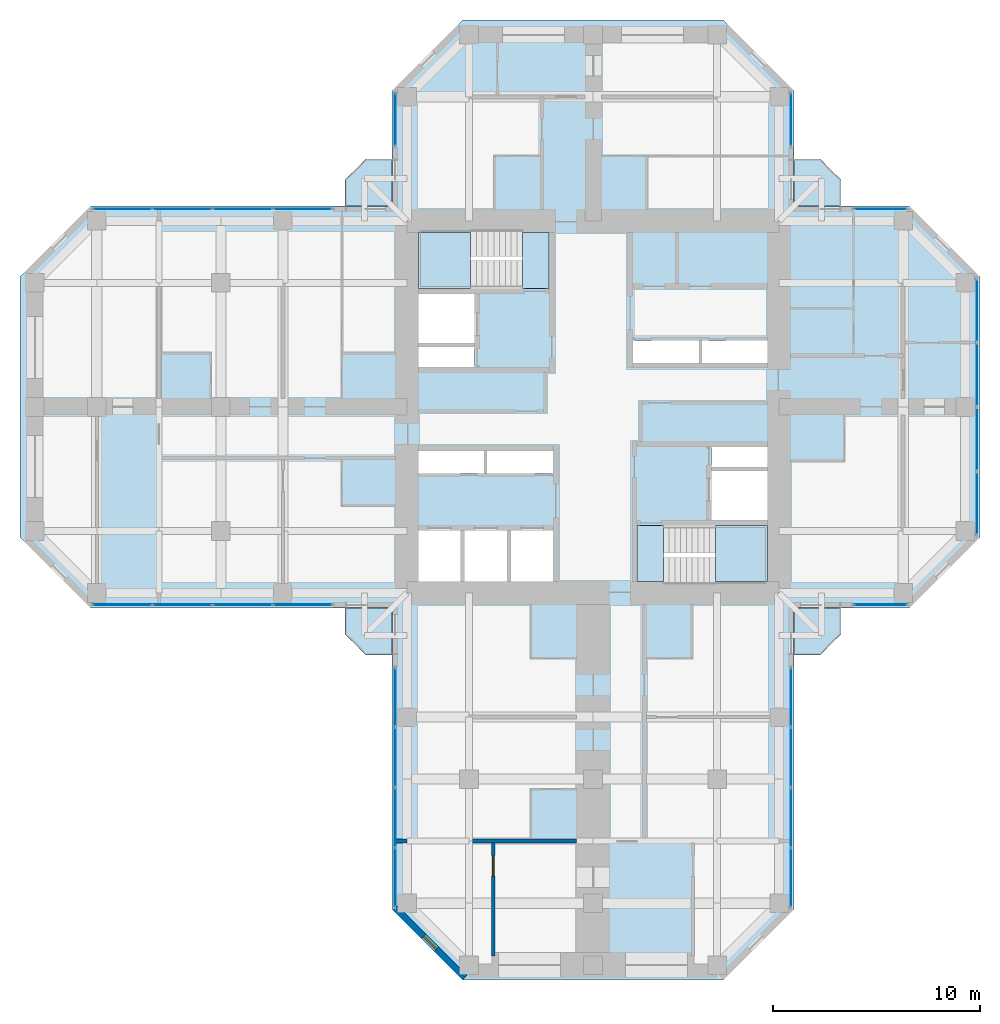
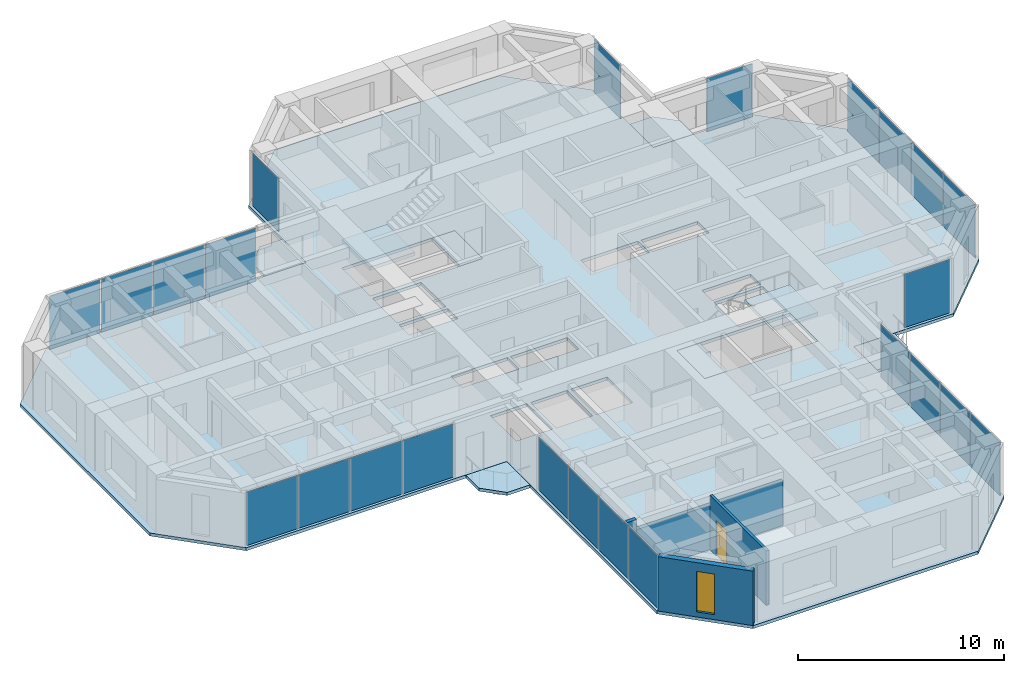
# One storey, part 7 of 14: 24 plates, 9 slabs, 4 walls, 1 door, 1 window, 2 openings, 11 elements without a shape of their own.
"""IFC4 building model written with IfcOpenShell, lengths in metres."""

from ifc_helpers import new_model, si_unit, direction, frame, frame_2d, origin, origin_2d, place, context, subcontext, project, spatial, polyline, rectangle, hollow_rectangle, outline, extrude, material, layer, layer_set, constituent, constituent_set, type_object, element, fill, aggregate, save


model = new_model("IFC4")

# Units and contexts
model_context = context("Model", 3, precision=1e-05, world=origin(), true_north=direction((0.0, 1.0)))
body_context = subcontext(model_context, "Body", "Model", "MODEL_VIEW")
ifc_project = project(units=[si_unit("LENGTHUNIT", "METRE"), si_unit("AREAUNIT", "SQUARE_METRE"), si_unit("VOLUMEUNIT", "CUBIC_METRE"), si_unit("PLANEANGLEUNIT", "RADIAN"), si_unit("MASSUNIT", "GRAM", prefix="KILO")], contexts=[model_context])

# Site, building, storey
site_placement = place(None, origin())
site = spatial("IfcSite", under=ifc_project, at=site_placement, CompositionType="ELEMENT")
building_placement = place(site_placement, origin())
building = spatial("IfcBuilding", under=site, at=building_placement, Name="Torre Cruceta", CompositionType="ELEMENT")
storey_placement = place(building_placement, frame((0.0, 0.0, 203.5)))
storey = spatial("IfcBuildingStorey", under=building, at=storey_placement, Name="L51", CompositionType="ELEMENT", Elevation=203.5)

# Slabs
ifc_material_1 = material(Name="Concrete G35 (fck 35 MPa)", Category="concrete")
ifc_layer_1 = layer(ifc_material_1, 0.179931640625)
ifc_layer_set_1 = layer_set([ifc_layer_1], Name="Concrete G35 (fck 35 MPa)")
slab_type_1 = type_object("IfcSlabType", Name="BALCONY SLAB 180", PredefinedType="USERDEFINED", material=ifc_layer_set_1)
slab_1_placement = place(storey_placement, frame((0.0, 0.0, -0.179931640625)))
element("IfcSlab", 1, at=slab_1_placement, inside=storey, type_object=slab_type_1, Name="Balcony slab L51 N", ObjectType="BALCONY", PredefinedType="USERDEFINED", context=body_context, shape_type="SweptSolid", body=[
    extrude(outline(polyline([(-12.0, 11.0), (-11.0, 12.0), (-9.719970703125, 12.0), (-9.719970703125, 9.719970703125), (-12.0, 9.719970703125), (-12.0, 11.0)])), origin(), (0.0, 0.0, 1.0), 0.179931640625),
])
slab_2_placement = place(storey_placement, frame((0.0, 0.0, -0.179931640625)))
element("IfcSlab", 2, at=slab_2_placement, inside=storey, type_object=slab_type_1, Name="Balcony slab L51 E", ObjectType="BALCONY", PredefinedType="USERDEFINED", context=body_context, shape_type="SweptSolid", body=[
    extrude(outline(polyline([(11.0, 12.0), (12.0, 11.0), (12.0, 9.719970703125), (9.719970703125, 9.719970703125), (9.719970703125, 12.0), (11.0, 12.0)])), origin(), (0.0, 0.0, 1.0), 0.179931640625),
])
slab_3_placement = place(storey_placement, frame((0.0, 0.0, -0.179931640625)))
element("IfcSlab", 3, at=slab_3_placement, inside=storey, type_object=slab_type_1, Name="Balcony slab L51 S", ObjectType="BALCONY", PredefinedType="USERDEFINED", context=body_context, shape_type="SweptSolid", body=[
    extrude(outline(polyline([(12.0, -11.0), (11.0, -12.0), (9.719970703125, -12.0), (9.719970703125, -9.719970703125), (12.0, -9.719970703125), (12.0, -11.0)])), origin(), (0.0, 0.0, 1.0), 0.179931640625),
])
slab_4_placement = place(storey_placement, frame((0.0, 0.0, -0.179931640625)))
element("IfcSlab", 4, at=slab_4_placement, inside=storey, type_object=slab_type_1, Name="Balcony slab L51 W", ObjectType="BALCONY", PredefinedType="USERDEFINED", context=body_context, shape_type="SweptSolid", body=[
    extrude(outline(polyline([(-11.0, -12.0), (-12.0, -11.0), (-12.0, -9.719970703125), (-9.719970703125, -9.719970703125), (-9.719970703125, -12.0), (-11.0, -12.0)])), origin(), (0.0, 0.0, 1.0), 0.179931640625),
])

# Curtain wall, plate
ifc_material_2 = material(Name="Aluminium unitised curtain wall", Category="aluminium")
curtain_wall_type = type_object("IfcCurtainWallType", Name="CURTAIN WALL CW-C CO-LIVING", PredefinedType="USERDEFINED", material=ifc_material_2)
curtain_wall_1_placement = place(storey_placement, origin())
curtain_wall_1 = element("IfcCurtainWall", 5, at=curtain_wall_1_placement, inside=storey, type_object=curtain_wall_type, Name="CW-C L51 E tip 02", ObjectType="UNITISED", PredefinedType="USERDEFINED")
ifc_material_3 = material(Name="Laminated insulating glass unit, diagonal frit 50 %", Category="glass")
ifc_material_4 = material(Name="Laminated insulating glass unit, diagonal frit 50 %", Category="glass")
ifc_layer_2 = layer(ifc_material_4, 0.030029296875)
ifc_layer_set_2 = layer_set([ifc_layer_2], Name="Laminated insulating glass unit, diagonal frit 50 %")
plate_type_1 = type_object("IfcPlateType", Name="CW-C OPERABLE VENT PANEL 30", PredefinedType="CURTAIN_PANEL", material=ifc_layer_set_2)
plate_1_placement = place(storey_placement, frame((18.570068359375, -1.55908203125, 0.010009765625), z_axis=(0.0, 0.0, 1.0), x_axis=(0.0, 1.0, 0.0)))
plate_1 = element("IfcPlate", 6, at=plate_1_placement, type_object=plate_type_1, material=ifc_material_3, Name="CW-C vent 2", PredefinedType="CURTAIN_PANEL", context=body_context, shape_type="SweptSolid", body=[
    extrude(rectangle(XDim=3.05810546875, YDim=0.030029296875, at=origin_2d()), origin(), (0.0, 0.0, 1.0), 3.14990234375),
])

curtain_wall_2_placement = place(storey_placement, origin())
curtain_wall_2 = element("IfcCurtainWall", 7, at=curtain_wall_2_placement, inside=storey, type_object=curtain_wall_type, Name="CW-C L51 W side 10", ObjectType="UNITISED", PredefinedType="USERDEFINED")
plate_2_placement = place(storey_placement, frame((-16.94482421875, 9.570068359375, 0.010009765625), z_axis=(0.0, 0.0, 1.0), x_axis=(-1.0, 0.0, 0.0)))
plate_2 = element("IfcPlate", 8, at=plate_2_placement, type_object=plate_type_1, material=ifc_material_3, Name="CW-C vent 2", PredefinedType="CURTAIN_PANEL", context=body_context, shape_type="SweptSolid", body=[
    extrude(rectangle(XDim=2.8564453125, YDim=0.030029296875, at=origin_2d()), origin(), (0.0, 0.0, 1.0), 3.14990234375),
])

curtain_wall_3_placement = place(storey_placement, origin())
curtain_wall_3 = element("IfcCurtainWall", 9, at=curtain_wall_3_placement, inside=storey, type_object=curtain_wall_type, Name="CW-C L51 W side 14", ObjectType="UNITISED", PredefinedType="USERDEFINED")
plate_3_placement = place(storey_placement, frame((-19.861328125, -9.570068359375, 0.010009765625), z_axis=(0.0, 0.0, 1.0), x_axis=(1.0, 0.0, 0.0)))
plate_3 = element("IfcPlate", 10, at=plate_3_placement, type_object=plate_type_1, material=ifc_material_3, Name="CW-C vent 2", PredefinedType="CURTAIN_PANEL", context=body_context, shape_type="SweptSolid", body=[
    extrude(rectangle(XDim=2.8564453125, YDim=0.030029296875, at=origin_2d()), origin(), (0.0, 0.0, 1.0), 3.14990234375),
])

curtain_wall_4_placement = place(storey_placement, origin())
curtain_wall_4 = element("IfcCurtainWall", 11, at=curtain_wall_4_placement, inside=storey, type_object=curtain_wall_type, Name="CW-C L51 S side 15", ObjectType="UNITISED", PredefinedType="USERDEFINED")
plate_4_placement = place(storey_placement, frame((-9.570068359375, -16.94482421875, 0.010009765625), z_axis=(0.0, 0.0, 1.0), x_axis=(0.0, -1.0, 0.0)))
plate_4 = element("IfcPlate", 12, at=plate_4_placement, type_object=plate_type_1, material=ifc_material_3, Name="CW-C vent 2", PredefinedType="CURTAIN_PANEL", context=body_context, shape_type="SweptSolid", body=[
    extrude(rectangle(XDim=2.8564453125, YDim=0.030029296875, at=origin_2d()), origin(), (0.0, 0.0, 1.0), 3.14990234375),
])

curtain_wall_5_placement = place(storey_placement, origin())
curtain_wall_5 = element("IfcCurtainWall", 13, at=curtain_wall_5_placement, inside=storey, type_object=curtain_wall_type, Name="CW-C L51 S side 19", ObjectType="UNITISED", PredefinedType="USERDEFINED")
plate_5_placement = place(storey_placement, frame((9.570068359375, -19.861328125, 0.010009765625), z_axis=(0.0, 0.0, 1.0), x_axis=(0.0, 1.0, 0.0)))
plate_5 = element("IfcPlate", 14, at=plate_5_placement, type_object=plate_type_1, material=ifc_material_3, Name="CW-C vent 2", PredefinedType="CURTAIN_PANEL", context=body_context, shape_type="SweptSolid", body=[
    extrude(rectangle(XDim=2.8564453125, YDim=0.030029296875, at=origin_2d()), origin(), (0.0, 0.0, 1.0), 3.14990234375),
])

curtain_wall_6_placement = place(storey_placement, origin())
curtain_wall_6 = element("IfcCurtainWall", 15, at=curtain_wall_6_placement, inside=storey, type_object=curtain_wall_type, Name="CW-C L51 E side 00", ObjectType="UNITISED", PredefinedType="USERDEFINED")
ifc_material_5 = material(Name="Laminated insulating glass unit, diagonal frit 50 %", Category="glass")
ifc_layer_3 = layer(ifc_material_5, 0.030029296875)
ifc_layer_set_3 = layer_set([ifc_layer_3], Name="Laminated insulating glass unit, diagonal frit 50 %")
plate_type_2 = type_object("IfcPlateType", Name="CW-C PANEL 30", PredefinedType="CURTAIN_PANEL", material=ifc_layer_set_3)
plate_6_placement = place(storey_placement, frame((13.903076171875, -9.570068359375, 0.010009765625), z_axis=(0.0, 0.0, 1.0), x_axis=(1.0, 0.0, 0.0)))
plate_6 = element("IfcPlate", 16, at=plate_6_placement, type_object=plate_type_2, material=ifc_material_3, Name="CW-C panel 1", PredefinedType="CURTAIN_PANEL", context=body_context, shape_type="SweptSolid", body=[
    extrude(rectangle(XDim=2.546142578125, YDim=0.030029296875, at=origin_2d()), origin(), (0.0, 0.0, 1.0), 3.14990234375),
])
aggregate(curtain_wall_6, [plate_6])

# Plate
plate_7_placement = place(storey_placement, frame((18.570068359375, -4.662109375, 0.010009765625), z_axis=(0.0, 0.0, 1.0), x_axis=(0.0, 1.0, 0.0)))
plate_7 = element("IfcPlate", 17, at=plate_7_placement, type_object=plate_type_2, material=ifc_material_3, Name="CW-C panel 1", PredefinedType="CURTAIN_PANEL", context=body_context, shape_type="SweptSolid", body=[
    extrude(rectangle(XDim=3.028076171875, YDim=0.030029296875, at=origin_2d()), origin(), (0.0, 0.0, 1.0), 3.14990234375),
])

plate_8_placement = place(storey_placement, frame((18.570068359375, 1.55908203125, 0.010009765625), z_axis=(0.0, 0.0, 1.0), x_axis=(0.0, 1.0, 0.0)))
plate_8 = element("IfcPlate", 18, at=plate_8_placement, type_object=plate_type_2, material=ifc_material_3, Name="CW-C panel 3", PredefinedType="CURTAIN_PANEL", context=body_context, shape_type="SweptSolid", body=[
    extrude(rectangle(XDim=3.05810546875, YDim=0.030029296875, at=origin_2d()), origin(), (0.0, 0.0, 1.0), 3.14990234375),
])

ifc_material_6 = material(Name="Laminated insulating glass unit, low-iron clear", Category="glass")
plate_9_placement = place(storey_placement, frame((18.570068359375, 4.662109375, 0.010009765625), z_axis=(0.0, 0.0, 1.0), x_axis=(0.0, 1.0, 0.0)))
plate_9 = element("IfcPlate", 19, at=plate_9_placement, type_object=plate_type_2, material=ifc_material_6, Name="CW-C panel 4", PredefinedType="CURTAIN_PANEL", context=body_context, shape_type="SweptSolid", body=[
    extrude(rectangle(XDim=3.028076171875, YDim=0.030029296875, at=origin_2d()), origin(), (0.0, 0.0, 1.0), 3.14990234375),
])

aggregate(curtain_wall_1, [plate_7, plate_1, plate_8, plate_9])

# Curtain wall, plate
curtain_wall_7_placement = place(storey_placement, origin())
curtain_wall_7 = element("IfcCurtainWall", 20, at=curtain_wall_7_placement, inside=storey, type_object=curtain_wall_type, Name="CW-C L51 E side 04", ObjectType="UNITISED", PredefinedType="USERDEFINED")
plate_10_placement = place(storey_placement, frame((13.903076171875, 9.570068359375, 0.010009765625), z_axis=(0.0, 0.0, 1.0), x_axis=(-1.0, 0.0, 0.0)))
plate_10 = element("IfcPlate", 21, at=plate_10_placement, type_object=plate_type_2, material=ifc_material_3, Name="CW-C panel 1", PredefinedType="CURTAIN_PANEL", context=body_context, shape_type="SweptSolid", body=[
    extrude(rectangle(XDim=2.546142578125, YDim=0.030029296875, at=origin_2d()), origin(), (0.0, 0.0, 1.0), 3.14990234375),
])
aggregate(curtain_wall_7, [plate_10])

curtain_wall_8_placement = place(storey_placement, origin())
curtain_wall_8 = element("IfcCurtainWall", 22, at=curtain_wall_8_placement, inside=storey, type_object=curtain_wall_type, Name="CW-C L51 N side 05", ObjectType="UNITISED", PredefinedType="USERDEFINED")
plate_11_placement = place(storey_placement, frame((9.570068359375, 13.903076171875, 0.010009765625), z_axis=(0.0, 0.0, 1.0), x_axis=(0.0, 1.0, 0.0)))
plate_11 = element("IfcPlate", 23, at=plate_11_placement, type_object=plate_type_2, material=ifc_material_3, Name="CW-C panel 1", PredefinedType="CURTAIN_PANEL", context=body_context, shape_type="SweptSolid", body=[
    extrude(rectangle(XDim=2.546142578125, YDim=0.030029296875, at=origin_2d()), origin(), (0.0, 0.0, 1.0), 3.14990234375),
])
aggregate(curtain_wall_8, [plate_11])

curtain_wall_9_placement = place(storey_placement, origin())
curtain_wall_9 = element("IfcCurtainWall", 24, at=curtain_wall_9_placement, inside=storey, type_object=curtain_wall_type, Name="CW-C L51 N side 09", ObjectType="UNITISED", PredefinedType="USERDEFINED")
plate_12_placement = place(storey_placement, frame((-9.570068359375, 13.903076171875, 0.010009765625), z_axis=(0.0, 0.0, 1.0), x_axis=(0.0, -1.0, 0.0)))
plate_12 = element("IfcPlate", 25, at=plate_12_placement, type_object=plate_type_2, material=ifc_material_3, Name="CW-C panel 1", PredefinedType="CURTAIN_PANEL", context=body_context, shape_type="SweptSolid", body=[
    extrude(rectangle(XDim=2.546142578125, YDim=0.030029296875, at=origin_2d()), origin(), (0.0, 0.0, 1.0), 3.14990234375),
])
aggregate(curtain_wall_9, [plate_12])

# Plate
plate_13_placement = place(storey_placement, frame((-14.043212890625, 9.570068359375, 0.010009765625), z_axis=(0.0, 0.0, 1.0), x_axis=(-1.0, 0.0, 0.0)))
plate_13 = element("IfcPlate", 26, at=plate_13_placement, type_object=plate_type_2, material=ifc_material_3, Name="CW-C panel 1", PredefinedType="CURTAIN_PANEL", context=body_context, shape_type="SweptSolid", body=[
    extrude(rectangle(XDim=2.826416015625, YDim=0.030029296875, at=origin_2d()), origin(), (0.0, 0.0, 1.0), 3.14990234375),
])

plate_14_placement = place(storey_placement, frame((-19.861328125, 9.570068359375, 0.010009765625), z_axis=(0.0, 0.0, 1.0), x_axis=(-1.0, 0.0, 0.0)))
plate_14 = element("IfcPlate", 27, at=plate_14_placement, type_object=plate_type_2, material=ifc_material_3, Name="CW-C panel 3", PredefinedType="CURTAIN_PANEL", context=body_context, shape_type="SweptSolid", body=[
    extrude(rectangle(XDim=2.8564453125, YDim=0.030029296875, at=origin_2d()), origin(), (0.0, 0.0, 1.0), 3.14990234375),
])

plate_15_placement = place(storey_placement, frame((-22.762939453125, 9.570068359375, 0.010009765625), z_axis=(0.0, 0.0, 1.0), x_axis=(-1.0, 0.0, 0.0)))
plate_15 = element("IfcPlate", 28, at=plate_15_placement, type_object=plate_type_2, material=ifc_material_6, Name="CW-C panel 4", PredefinedType="CURTAIN_PANEL", context=body_context, shape_type="SweptSolid", body=[
    extrude(rectangle(XDim=2.826416015625, YDim=0.030029296875, at=origin_2d()), origin(), (0.0, 0.0, 1.0), 3.14990234375),
])

aggregate(curtain_wall_2, [plate_13, plate_2, plate_14, plate_15])

plate_16_placement = place(storey_placement, frame((-22.762939453125, -9.570068359375, 0.010009765625), z_axis=(0.0, 0.0, 1.0), x_axis=(1.0, 0.0, 0.0)))
plate_16 = element("IfcPlate", 29, at=plate_16_placement, type_object=plate_type_2, material=ifc_material_3, Name="CW-C panel 1", PredefinedType="CURTAIN_PANEL", context=body_context, shape_type="SweptSolid", body=[
    extrude(rectangle(XDim=2.826416015625, YDim=0.030029296875, at=origin_2d()), origin(), (0.0, 0.0, 1.0), 3.14990234375),
])

plate_17_placement = place(storey_placement, frame((-16.94482421875, -9.570068359375, 0.010009765625), z_axis=(0.0, 0.0, 1.0), x_axis=(1.0, 0.0, 0.0)))
plate_17 = element("IfcPlate", 30, at=plate_17_placement, type_object=plate_type_2, material=ifc_material_3, Name="CW-C panel 3", PredefinedType="CURTAIN_PANEL", context=body_context, shape_type="SweptSolid", body=[
    extrude(rectangle(XDim=2.8564453125, YDim=0.030029296875, at=origin_2d()), origin(), (0.0, 0.0, 1.0), 3.14990234375),
])

plate_18_placement = place(storey_placement, frame((-14.043212890625, -9.570068359375, 0.010009765625), z_axis=(0.0, 0.0, 1.0), x_axis=(1.0, 0.0, 0.0)))
plate_18 = element("IfcPlate", 31, at=plate_18_placement, type_object=plate_type_2, material=ifc_material_6, Name="CW-C panel 4", PredefinedType="CURTAIN_PANEL", context=body_context, shape_type="SweptSolid", body=[
    extrude(rectangle(XDim=2.826416015625, YDim=0.030029296875, at=origin_2d()), origin(), (0.0, 0.0, 1.0), 3.14990234375),
])

aggregate(curtain_wall_3, [plate_16, plate_3, plate_17, plate_18])

plate_19_placement = place(storey_placement, frame((-9.570068359375, -14.043212890625, 0.010009765625), z_axis=(0.0, 0.0, 1.0), x_axis=(0.0, -1.0, 0.0)))
plate_19 = element("IfcPlate", 32, at=plate_19_placement, type_object=plate_type_2, material=ifc_material_3, Name="CW-C panel 1", PredefinedType="CURTAIN_PANEL", context=body_context, shape_type="SweptSolid", body=[
    extrude(rectangle(XDim=2.826416015625, YDim=0.030029296875, at=origin_2d()), origin(), (0.0, 0.0, 1.0), 3.14990234375),
])

plate_20_placement = place(storey_placement, frame((-9.570068359375, -19.861328125, 0.010009765625), z_axis=(0.0, 0.0, 1.0), x_axis=(0.0, -1.0, 0.0)))
plate_20 = element("IfcPlate", 33, at=plate_20_placement, type_object=plate_type_2, material=ifc_material_3, Name="CW-C panel 3", PredefinedType="CURTAIN_PANEL", context=body_context, shape_type="SweptSolid", body=[
    extrude(rectangle(XDim=2.8564453125, YDim=0.030029296875, at=origin_2d()), origin(), (0.0, 0.0, 1.0), 3.14990234375),
])

plate_21_placement = place(storey_placement, frame((-9.570068359375, -22.762939453125, 0.010009765625), z_axis=(0.0, 0.0, 1.0), x_axis=(0.0, -1.0, 0.0)))
plate_21 = element("IfcPlate", 34, at=plate_21_placement, type_object=plate_type_2, material=ifc_material_6, Name="CW-C panel 4", PredefinedType="CURTAIN_PANEL", context=body_context, shape_type="SweptSolid", body=[
    extrude(rectangle(XDim=2.826416015625, YDim=0.030029296875, at=origin_2d()), origin(), (0.0, 0.0, 1.0), 3.14990234375),
])

aggregate(curtain_wall_4, [plate_19, plate_4, plate_20, plate_21])

plate_22_placement = place(storey_placement, frame((9.570068359375, -22.762939453125, 0.010009765625), z_axis=(0.0, 0.0, 1.0), x_axis=(0.0, 1.0, 0.0)))
plate_22 = element("IfcPlate", 35, at=plate_22_placement, type_object=plate_type_2, material=ifc_material_3, Name="CW-C panel 1", PredefinedType="CURTAIN_PANEL", context=body_context, shape_type="SweptSolid", body=[
    extrude(rectangle(XDim=2.826416015625, YDim=0.030029296875, at=origin_2d()), origin(), (0.0, 0.0, 1.0), 3.14990234375),
])

plate_23_placement = place(storey_placement, frame((9.570068359375, -16.94482421875, 0.010009765625), z_axis=(0.0, 0.0, 1.0), x_axis=(0.0, 1.0, 0.0)))
plate_23 = element("IfcPlate", 36, at=plate_23_placement, type_object=plate_type_2, material=ifc_material_3, Name="CW-C panel 3", PredefinedType="CURTAIN_PANEL", context=body_context, shape_type="SweptSolid", body=[
    extrude(rectangle(XDim=2.8564453125, YDim=0.030029296875, at=origin_2d()), origin(), (0.0, 0.0, 1.0), 3.14990234375),
])

plate_24_placement = place(storey_placement, frame((9.570068359375, -14.043212890625, 0.010009765625), z_axis=(0.0, 0.0, 1.0), x_axis=(0.0, 1.0, 0.0)))
plate_24 = element("IfcPlate", 37, at=plate_24_placement, type_object=plate_type_2, material=ifc_material_6, Name="CW-C panel 4", PredefinedType="CURTAIN_PANEL", context=body_context, shape_type="SweptSolid", body=[
    extrude(rectangle(XDim=2.826416015625, YDim=0.030029296875, at=origin_2d()), origin(), (0.0, 0.0, 1.0), 3.14990234375),
])

aggregate(curtain_wall_5, [plate_22, plate_5, plate_23, plate_24])

# Slab
ifc_material_7 = material(Name="Concrete G35 (fck 35 MPa)", Category="concrete")
ifc_layer_4 = layer(ifc_material_7, 0.179931640625)
ifc_layer_set_4 = layer_set([ifc_layer_4], Name="Concrete G35 (fck 35 MPa)")
slab_type_2 = type_object("IfcSlabType", Name="FLOOR SLAB 180", PredefinedType="FLOOR", material=ifc_layer_set_4)
slab_5_placement = place(storey_placement, frame((0.0, 0.0, -0.179931640625)))
element("IfcSlab", 38, at=slab_5_placement, inside=storey, type_object=slab_type_2, Name="Floor Slab L51", PredefinedType="FLOOR", context=body_context, shape_type="SweptSolid", body=[
    extrude(outline(polyline([(9.719970703125, -9.719970703125), (9.719970703125, -24.29833984375), (6.29833984375, -27.719970703125), (-6.29833984375, -27.719970703125), (-9.719970703125, -24.29833984375), (-9.719970703125, -9.719970703125), (-24.29833984375, -9.719970703125), (-27.719970703125, -6.29833984375), (-27.719970703125, 6.29833984375), (-24.29833984375, 9.719970703125), (-9.719970703125, 9.719970703125), (-9.719970703125, 15.29833984375), (-6.29833984375, 18.719970703125), (6.29833984375, 18.719970703125), (9.719970703125, 15.29833984375), (9.719970703125, 9.719970703125), (15.29833984375, 9.719970703125), (18.719970703125, 6.29833984375), (18.719970703125, -6.29833984375), (15.29833984375, -9.719970703125), (9.719970703125, -9.719970703125)]), holes=[polyline([(1.925048828125, 2.125), (5.125, 2.125), (5.125, 3.22509765625), (1.925048828125, 3.22509765625), (1.925048828125, 2.125)]), polyline([(5.27490234375, 2.125), (8.449951171875, 2.125), (8.449951171875, 3.22509765625), (5.27490234375, 3.22509765625), (5.27490234375, 2.125)]), polyline([(-8.449951171875, 3.10009765625), (-5.72509765625, 3.10009765625), (-5.72509765625, 5.47509765625), (-8.449951171875, 5.47509765625), (-8.449951171875, 3.10009765625)]), polyline([(-8.449951171875, 1.925048828125), (-5.72509765625, 1.925048828125), (-5.72509765625, 2.89990234375), (-8.449951171875, 2.89990234375), (-8.449951171875, 1.925048828125)]), polyline([(-3.966552734375, -8.449951171875), (-1.925048828125, -8.449951171875), (-1.925048828125, -5.97509765625), (-3.966552734375, -5.97509765625), (-3.966552734375, -8.449951171875)]), polyline([(-6.208251953125, -8.449951171875), (-4.166748046875, -8.449951171875), (-4.166748046875, -5.97509765625), (-6.208251953125, -5.97509765625), (-6.208251953125, -8.449951171875)]), polyline([(-8.449951171875, -8.449951171875), (-6.408447265625, -8.449951171875), (-6.408447265625, -5.97509765625), (-8.449951171875, -5.97509765625), (-8.449951171875, -8.449951171875)]), polyline([(-5.125, -3.22509765625), (-1.925048828125, -3.22509765625), (-1.925048828125, -2.125), (-5.125, -2.125), (-5.125, -3.22509765625)]), polyline([(-8.449951171875, -3.22509765625), (-5.27490234375, -3.22509765625), (-5.27490234375, -2.125), (-8.449951171875, -2.125), (-8.449951171875, -3.22509765625)]), polyline([(5.72509765625, -5.47509765625), (8.449951171875, -5.47509765625), (8.449951171875, -3.10009765625), (5.72509765625, -3.10009765625), (5.72509765625, -5.47509765625)]), polyline([(5.72509765625, -2.89990234375), (8.449951171875, -2.89990234375), (8.449951171875, -1.925048828125), (5.72509765625, -1.925048828125), (5.72509765625, -2.89990234375)]), polyline([(-8.449951171875, 5.72509765625), (-8.449951171875, 8.449951171875), (-3.39990234375, 8.449951171875), (-2.125, 8.449951171875), (-2.125, 5.72509765625), (-3.39990234375, 5.72509765625), (-8.449951171875, 5.72509765625)]), polyline([(2.125, -5.72509765625), (3.39990234375, -5.72509765625), (8.449951171875, -5.72509765625), (8.449951171875, -8.449951171875), (3.39990234375, -8.449951171875), (2.125, -8.449951171875), (2.125, -5.72509765625)])]), origin(), (0.0, 0.0, 1.0), 0.179931640625),
])

# Stair, slab
ifc_material_8 = material(Name="Concrete G30 (fck 30 MPa)", Category="concrete")
stair_type = type_object("IfcStairType", Name="STAIR HALF-TURN 1300", PredefinedType="HALF_TURN_STAIR", material=ifc_material_8)
stair_1_placement = place(storey_placement, origin())
stair_1 = element("IfcStair", 39, at=stair_1_placement, inside=storey, type_object=stair_type, Name="Stair ST1 L51", PredefinedType="HALF_TURN_STAIR")
ifc_material_9 = material(Name="Concrete G30 (fck 30 MPa)", Category="concrete")
ifc_layer_5 = layer(ifc_material_9, 0.199951171875)
ifc_layer_set_5 = layer_set([ifc_layer_5], Name="Concrete G30 (fck 30 MPa)")
slab_type_3 = type_object("IfcSlabType", Name="STAIR LANDING 200", PredefinedType="LANDING", material=ifc_layer_set_5)
slab_6_placement = place(storey_placement, frame((0.0, 0.0, 1.5)))
slab_6 = element("IfcSlab", 40, at=slab_6_placement, type_object=slab_type_3, Name="ST1 landing 1", PredefinedType="LANDING", context=body_context, shape_type="SweptSolid", body=[
    extrude(outline(polyline([(-8.449951171875, 5.72509765625), (-5.919921875, 5.72509765625), (-5.919921875, 8.449951171875), (-8.449951171875, 8.449951171875), (-8.449951171875, 5.72509765625)])), origin(), (0.0, 0.0, 1.0), 0.199951171875),
])
aggregate(stair_1, [slab_6])

stair_2_placement = place(storey_placement, origin())
stair_2 = element("IfcStair", 41, at=stair_2_placement, inside=storey, type_object=stair_type, Name="Stair ST2 L51", PredefinedType="HALF_TURN_STAIR")
slab_7_placement = place(storey_placement, frame((0.0, 0.0, 1.5)))
slab_7 = element("IfcSlab", 42, at=slab_7_placement, type_object=slab_type_3, Name="ST2 landing 1", PredefinedType="LANDING", context=body_context, shape_type="SweptSolid", body=[
    extrude(outline(polyline([(5.919921875, -8.449951171875), (8.449951171875, -8.449951171875), (8.449951171875, -5.72509765625), (5.919921875, -5.72509765625), (5.919921875, -8.449951171875)])), origin(), (0.0, 0.0, 1.0), 0.199951171875),
])
aggregate(stair_2, [slab_7])

# Slabs
slab_8_placement = place(storey_placement, frame((0.0, 0.0, -0.199951171875)))
element("IfcSlab", 43, at=slab_8_placement, inside=storey, type_object=slab_type_3, Name="Stair ST1 floor landing L51", PredefinedType="LANDING", context=body_context, shape_type="SweptSolid", body=[
    extrude(outline(polyline([(-2.125, 8.449951171875), (-2.125, 5.72509765625), (-3.39990234375, 5.72509765625), (-3.39990234375, 8.449951171875), (-2.125, 8.449951171875)])), origin(), (0.0, 0.0, 1.0), 0.199951171875),
])
slab_9_placement = place(storey_placement, frame((0.0, 0.0, -0.199951171875)))
element("IfcSlab", 44, at=slab_9_placement, inside=storey, type_object=slab_type_3, Name="Stair ST2 floor landing L51", PredefinedType="LANDING", context=body_context, shape_type="SweptSolid", body=[
    extrude(outline(polyline([(2.125, -8.449951171875), (2.125, -5.72509765625), (3.39990234375, -5.72509765625), (3.39990234375, -8.449951171875), (2.125, -8.449951171875)])), origin(), (0.0, 0.0, 1.0), 0.199951171875),
])

# Wall, opening, window
ifc_material_10 = material(Name="Concrete G30 (fck 30 MPa)", Category="concrete")
ifc_layer_6 = layer(ifc_material_10, 0.300048828125)
ifc_layer_set_6 = layer_set([ifc_layer_6], Name="Concrete G30 (fck 30 MPa)")
wall_type_1 = type_object("IfcWallType", Name="EXPOSED CONCRETE FACADE WALL 300", PredefinedType="SOLIDWALL", material=ifc_layer_set_6)
wall_1_placement = place(storey_placement, frame((-9.570068359375, -24.236083984375, 0.0), z_axis=(0.0, 0.0, 1.0), x_axis=(0.707106781187, -0.707106781187, 0.0)))
wall_1 = element("IfcWall", 45, at=wall_1_placement, inside=storey, type_object=wall_type_1, Name="EW1 facade wall L51 S chamfer 16", PredefinedType="SOLIDWALL", context=body_context, shape_type="SweptSolid", body=[
    extrude(rectangle(XDim=4.75732421875, YDim=0.300048828125, at=frame_2d((2.378662109375, 0.0))), origin(), (0.0, 0.0, 1.0), 3.219970703125),
])
opening_1_placement = place(wall_1_placement, frame((1.9287109375, 0.0, 0.300048828125)))
opening_1 = element("IfcOpeningElement", 46, at=opening_1_placement, cuts=wall_1, Name="Opening WN5", PredefinedType="OPENING", context=body_context, shape_type="SweptSolid", body=[
    extrude(rectangle(XDim=0.89990234375, YDim=2.39990234375, at=frame_2d((0.449951171875, 1.199951171875))), frame((0.0, 0.159912109375, 0.0), z_axis=(0.0, -1.0, 0.0), x_axis=(1.0, 0.0, 0.0)), (0.0, 0.0, 1.0), 0.320068359375),
])
ifc_material_11 = material(Name="Aluminium window frame", Category="aluminium")
ifc_constituent_1 = constituent(ifc_material_11, Name="Frame")
ifc_material_12 = material(Name="Laminated insulating glass unit, low-iron clear", Category="glass")
ifc_constituent_2 = constituent(ifc_material_12, Name="Glazing")
ifc_constituent_set_1 = constituent_set(constituents=[ifc_constituent_1, ifc_constituent_2], Name="Aluminium window")
window_type = type_object("IfcWindowType", Name="CHAMFER SLOT WINDOW 900X2400", PartitioningType="SINGLE_PANEL", PredefinedType="WINDOW", material=ifc_constituent_set_1)
window_placement = place(opening_1_placement, origin())
window = element("IfcWindow", 47, at=window_placement, inside=storey, type_object=window_type, Name="WN5 L51 S 1", OverallHeight=2.39990234375, OverallWidth=0.89990234375, PartitioningType="SINGLE_PANEL", PredefinedType="WINDOW", context=body_context, shape_type="SweptSolid", body=[
    extrude(hollow_rectangle(XDim=0.89990234375, YDim=2.39990234375, WallThickness=0.06005859375, at=frame_2d((0.449951171875, 1.199951171875))), frame((0.0, 0.030029296875, 0.0), z_axis=(0.0, -1.0, 0.0), x_axis=(1.0, 0.0, 0.0)), (0.0, 0.0, 1.0), 0.06005859375),
    extrude(rectangle(XDim=0.77880859375, YDim=2.27880859375, at=frame_2d((0.449951171875, 1.199951171875))), frame((0.0, 0.030029296875, 0.0), z_axis=(0.0, -1.0, 0.0), x_axis=(1.0, 0.0, 0.0)), (0.0, 0.0, 1.0), 0.06005859375),
])
fill(opening_1, window)

# Wall, opening, door
ifc_material_13 = material(Name="Plasterboard on steel studs", Category="steel")
ifc_layer_7 = layer(ifc_material_13, 0.14990234375)
ifc_layer_set_7 = layer_set([ifc_layer_7], Name="Plasterboard on steel studs")
wall_type_2 = type_object("IfcWallType", Name="PARTITION 150", PredefinedType="PARTITIONING", material=ifc_layer_set_7)
wall_2_placement = place(storey_placement, frame((-4.824951171875, -21.10009765625, 0.0), z_axis=(0.0, 0.0, 1.0), x_axis=(0.0, -1.0, 0.0)))
wall_2 = element("IfcWall", 48, at=wall_2_placement, inside=storey, type_object=wall_type_2, Name="PT1 L51-S-END2X", PredefinedType="PARTITIONING", context=body_context, shape_type="SweptSolid", body=[
    extrude(rectangle(XDim=5.449951171875, YDim=0.14990234375, at=frame_2d((2.72509765625, 0.0))), origin(), (0.0, 0.0, 1.0), 3.219970703125),
])
opening_2_placement = place(wall_2_placement, frame((0.60009765625, 0.0, 0.0)))
opening_2 = element("IfcOpeningElement", 49, at=opening_2_placement, cuts=wall_2, Name="Opening D3", PredefinedType="OPENING", context=body_context, shape_type="SweptSolid", body=[
    extrude(rectangle(XDim=1.0, YDim=2.10009765625, at=frame_2d((0.5, 1.050048828125))), frame((0.0, 0.0849609375, 0.0), z_axis=(0.0, -1.0, 0.0), x_axis=(1.0, 0.0, 0.0)), (0.0, 0.0, 1.0), 0.169921875),
])
ifc_material_14 = material(Name="Steel DX51D", Category="steel")
ifc_constituent_3 = constituent(ifc_material_14, Name="Leaf and frame")
ifc_material_15 = material(Name="Polyester powder coating", Category="paint")
ifc_constituent_4 = constituent(ifc_material_15, Name="Finish")
ifc_constituent_set_2 = constituent_set(constituents=[ifc_constituent_3, ifc_constituent_4], Name="Steel fire door")
door_type = type_object("IfcDoorType", Name="FIRE DOOR 1000X2100", OperationType="SINGLE_SWING_LEFT", PredefinedType="DOOR", material=ifc_constituent_set_2)
door_placement = place(opening_2_placement, frame((1.0, 0.0, 0.0), z_axis=(0.0, 0.0, 1.0), x_axis=(-1.0, 0.0, 0.0)))
door = element("IfcDoor", 50, at=door_placement, inside=storey, type_object=door_type, Name="D3 L51-S-END2X-D1", OperationType="SINGLE_SWING_RIGHT", OverallHeight=2.10009765625, OverallWidth=1.0, PredefinedType="DOOR", context=body_context, shape_type="SweptSolid", body=[
    extrude(rectangle(XDim=1.0, YDim=2.10009765625, at=frame_2d((0.5, 1.050048828125))), frame((0.0, 0.025146484375, 0.0), z_axis=(0.0, -1.0, 0.0), x_axis=(1.0, 0.0, 0.0)), (0.0, 0.0, 1.0), 0.050048828125),
])
fill(opening_2, door)

# Walls
ifc_material_16 = material(Name="Concrete G25 (fck 25 MPa)", Category="concrete")
ifc_layer_8 = layer(ifc_material_16, 0.199951171875)
ifc_layer_set_8 = layer_set([ifc_layer_8], Name="Concrete G25 (fck 25 MPa)")
wall_type_3 = type_object("IfcWallType", Name="UNIT SEPARATING WALL 200", PredefinedType="SOLIDWALL", material=ifc_layer_set_8)
wall_3_placement = place(storey_placement, frame((-9.530029296875, -21.0, 0.0), z_axis=(0.0, 0.0, 1.0), x_axis=(1.0, 0.0, 0.0)))
element("IfcWall", 51, at=wall_3_placement, inside=storey, type_object=wall_type_3, Name="PT2 L51-S-ENDa", PredefinedType="SOLIDWALL", context=body_context, shape_type="SweptSolid", body=[
    extrude(rectangle(XDim=0.530029296875, YDim=0.199951171875, at=frame_2d((0.26513671875, 0.0))), origin(), (0.0, 0.0, 1.0), 3.219970703125),
])
wall_4_placement = place(storey_placement, frame((-9.0, -21.0, 0.0), z_axis=(0.0, 0.0, 1.0), x_axis=(1.0, 0.0, 0.0)))
element("IfcWall", 52, at=wall_4_placement, inside=storey, type_object=wall_type_3, Name="PT2 L51-S-ENDa 2", PredefinedType="SOLIDWALL", context=body_context, shape_type="SweptSolid", body=[
    extrude(rectangle(XDim=8.199951171875, YDim=0.199951171875, at=frame_2d((4.10009765625, 0.0))), origin(), (0.0, 0.0, 1.0), 2.6201171875),
])

save(model, "model.ifc")
